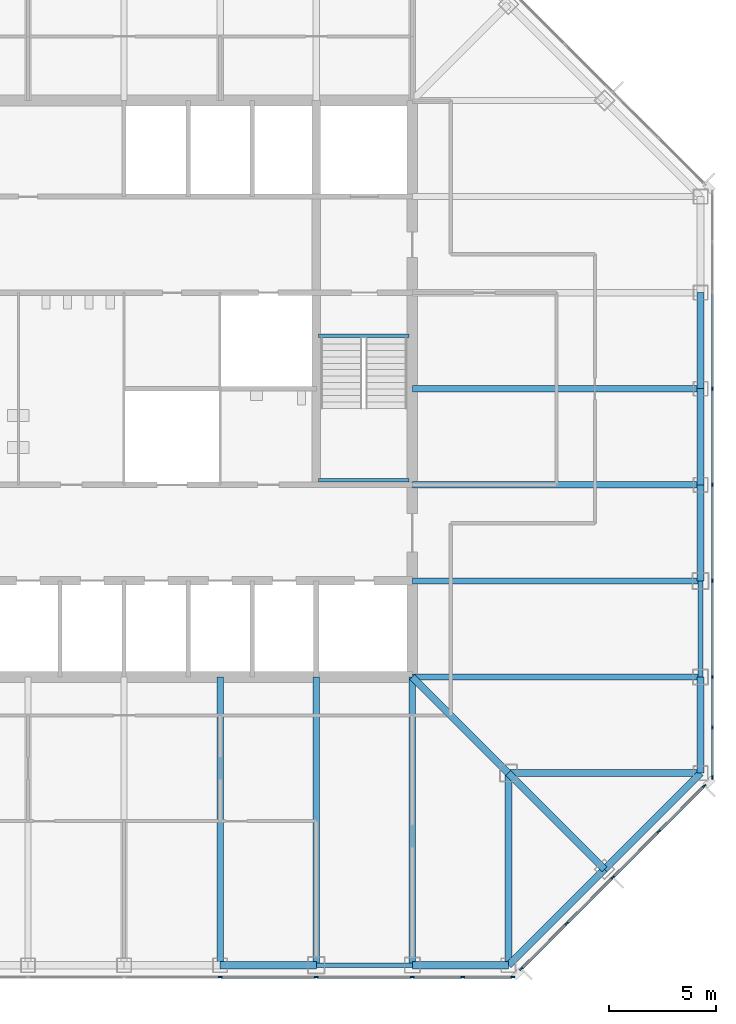
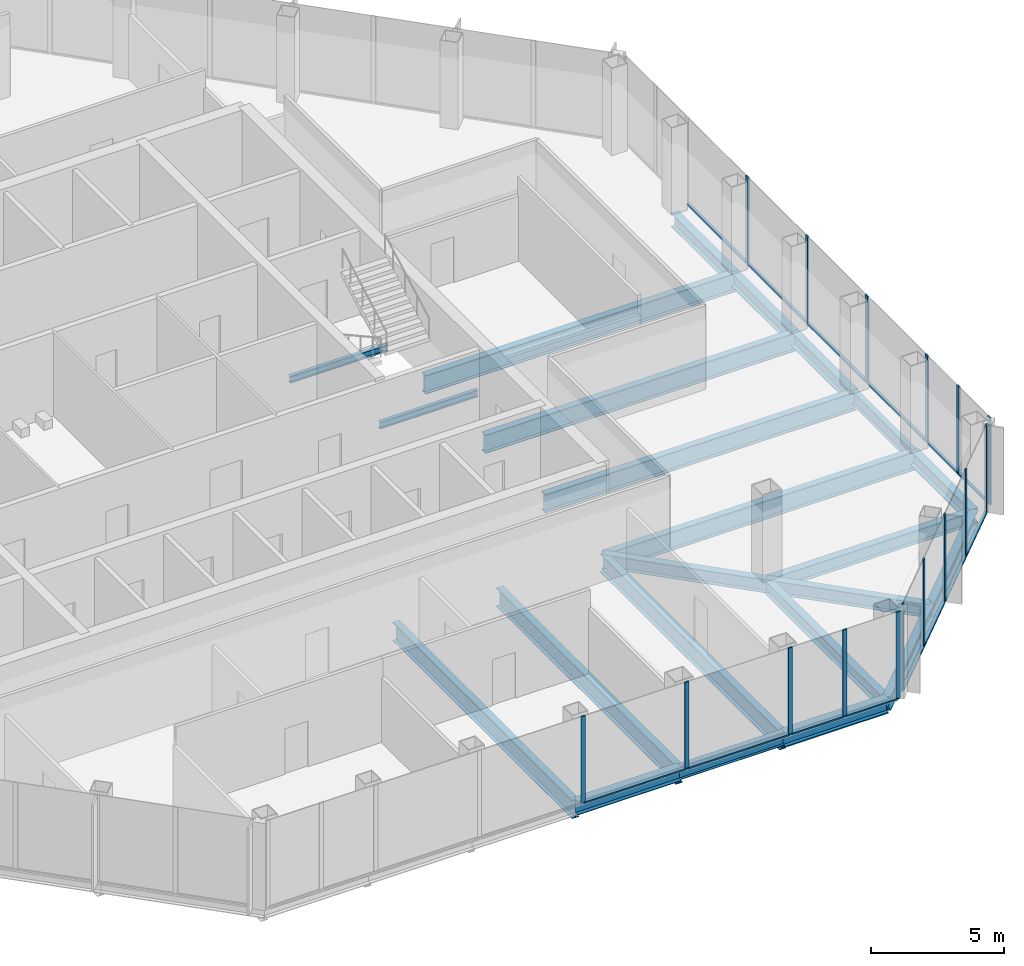
# One storey, part 4 of 12: 30 members, 23 beams, 3 elements without a shape of their own.
"""IFC4 building model written with IfcOpenShell, lengths in metres."""

from ifc_helpers import new_model, si_unit, direction, frame, origin, origin_2d, place, context, subcontext, project, spatial, rectangle, i_section, extrude, material, material_profile, profile_set, type_object, element, aggregate, save


model = new_model("IFC4")

# Units and contexts
model_context = context("Model", 3, precision=1e-05, world=origin(), true_north=direction((0.0, 1.0)))
body_context = subcontext(model_context, "Body", "Model", "MODEL_VIEW")
ifc_project = project(units=[si_unit("LENGTHUNIT", "METRE"), si_unit("AREAUNIT", "SQUARE_METRE"), si_unit("VOLUMEUNIT", "CUBIC_METRE"), si_unit("PLANEANGLEUNIT", "RADIAN"), si_unit("MASSUNIT", "GRAM", prefix="KILO")], contexts=[model_context])

# Site, building, storey
site_placement = place(None, origin())
site = spatial("IfcSite", under=ifc_project, at=site_placement, CompositionType="ELEMENT")
building_placement = place(site_placement, origin())
building = spatial("IfcBuilding", under=site, at=building_placement, Name="Corais Broadcast Tower", CompositionType="ELEMENT")
storey_placement = place(building_placement, frame((0.0, 0.0, 183.60009765625)))
storey = spatial("IfcBuildingStorey", under=building, at=storey_placement, Name="L42", CompositionType="ELEMENT", Elevation=183.60009765625)

# Beams
ifc_material_1 = material(Name="Steel ASTM A572 Grade 50", Category="steel")
ifc_material_profile_1 = material_profile(ifc_material_1, i_section(OverallWidth=0.323974609375, OverallDepth=0.611083984375, WebThickness=0.0126953125, FlangeThickness=0.01904296875, at=origin_2d()), Name="W610x155")
ifc_profile_set_1 = profile_set([ifc_material_profile_1], Name="Steel ASTM A572 Grade 50")
beam_type_1 = type_object("IfcBeamType", Name="Chamfer tie W610x155", PredefinedType="BEAM", material=ifc_profile_set_1)
beam_1_placement = place(storey_placement, frame((49.5, 4.5, -0.465576171875), z_axis=(-0.707106781187, 0.707106781187, 0.0), x_axis=(-0.707106781187, -0.707106781187, 0.0)))
element("IfcBeam", 1, at=beam_1_placement, inside=storey, type_object=beam_type_1, Name="B5 B/14 to C/13", PredefinedType="BEAM", context=body_context, shape_type="SweptSolid", body=[
    extrude(i_section(OverallWidth=0.323974609375, OverallDepth=0.611083984375, WebThickness=0.0126953125, FlangeThickness=0.01904296875, at=origin_2d()), origin(), (0.0, 0.0, 1.0), 6.364013671875),
])
ifc_material_2 = material(Name="Steel ASTM A572 Grade 50", Category="steel")
ifc_material_profile_2 = material_profile(ifc_material_2, i_section(OverallWidth=0.323974609375, OverallDepth=0.611083984375, WebThickness=0.0126953125, FlangeThickness=0.01904296875, at=origin_2d()), Name="W610x155")
ifc_profile_set_2 = profile_set([ifc_material_profile_2], Name="Steel ASTM A572 Grade 50")
beam_type_2 = type_object("IfcBeamType", Name="Corner diagonal W610x155", PredefinedType="BEAM", material=ifc_profile_set_2)
beam_2_placement = place(storey_placement, frame((45.0, 9.0, -0.465576171875), z_axis=(-0.707106781187, 0.707106781187, 0.0), x_axis=(-0.707106781187, -0.707106781187, 0.0)))
element("IfcBeam", 2, at=beam_2_placement, inside=storey, type_object=beam_type_2, Name="B6 C/13 to D/12", PredefinedType="BEAM", context=body_context, shape_type="SweptSolid", body=[
    extrude(i_section(OverallWidth=0.323974609375, OverallDepth=0.611083984375, WebThickness=0.0126953125, FlangeThickness=0.01904296875, at=origin_2d()), origin(), (0.0, 0.0, 1.0), 6.364013671875),
])
ifc_material_3 = material(Name="Steel ASTM A572 Grade 50", Category="steel")
ifc_material_profile_3 = material_profile(ifc_material_3, i_section(OverallWidth=0.323974609375, OverallDepth=0.611083984375, WebThickness=0.0126953125, FlangeThickness=0.01904296875, at=origin_2d()), Name="W610x155")
ifc_profile_set_3 = profile_set([ifc_material_profile_3], Name="Steel ASTM A572 Grade 50")
beam_type_3 = type_object("IfcBeamType", Name="Corner girder W610x155", PredefinedType="BEAM", material=ifc_profile_set_3)
for number, where, z_axis, x_axis, name in (
    (3, (45.0, 0.0, -0.465576171875), (0.0, 1.0, 0.0), (-1.0, 0.0, 0.0), "B4 A/13 to C/13"),
    (4, (54.0, 9.0, -0.465576171875), (-1.0, 0.0, 0.0), (0.0, -1.0, 0.0), "B4 C/15 to C/13"),
):
    element("IfcBeam", number, at=place(storey_placement, frame(where, z_axis=z_axis, x_axis=x_axis)), inside=storey, type_object=beam_type_3, Name=name, PredefinedType="BEAM", context=body_context, shape_type="SweptSolid", body=[
        extrude(i_section(OverallWidth=0.323974609375, OverallDepth=0.611083984375, WebThickness=0.0126953125, FlangeThickness=0.01904296875, at=origin_2d()), origin(), (0.0, 0.0, 1.0), 9.0),
    ])
ifc_material_4 = material(Name="Steel ASTM A572 Grade 50", Category="steel")
ifc_material_profile_4 = material_profile(ifc_material_4, i_section(OverallWidth=0.337890625, OverallDepth=0.677978515625, WebThickness=0.029541015625, FlangeThickness=0.052978515625, at=origin_2d()), Name="W610x415")
ifc_profile_set_4 = profile_set([ifc_material_profile_4], Name="Steel ASTM A572 Grade 50")
beam_type_4 = type_object("IfcBeamType", Name="Corner spandrel W610x415", PredefinedType="BEAM", material=ifc_profile_set_4)
for number, where, z_axis, x_axis, name in (
    (5, (40.5, 0.0, -0.4990234375), (1.0, 0.0, 0.0), (0.0, 1.0, 0.0), "SB10 A/12 to A/13"),
    (6, (54.0, 9.0, -0.4990234375), (0.0, 1.0, 0.0), (-1.0, 0.0, 0.0), "SB10 C/15 to D/15"),
):
    element("IfcBeam", number, at=place(storey_placement, frame(where, z_axis=z_axis, x_axis=x_axis)), inside=storey, type_object=beam_type_4, Name=name, PredefinedType="BEAM", context=body_context, shape_type="SweptSolid", body=[
        extrude(i_section(OverallWidth=0.337890625, OverallDepth=0.677978515625, WebThickness=0.029541015625, FlangeThickness=0.052978515625, at=origin_2d()), origin(), (0.0, 0.0, 1.0), 4.5),
    ])
ifc_material_5 = material(Name="Steel ASTM A572 Grade 50", Category="steel")
ifc_material_profile_5 = material_profile(ifc_material_5, i_section(OverallWidth=0.2939453125, OverallDepth=0.85107421875, WebThickness=0.01611328125, FlangeThickness=0.02685546875, at=origin_2d()), Name="W840x226")
ifc_profile_set_5 = profile_set([ifc_material_profile_5], Name="Steel ASTM A572 Grade 50")
beam_type_5 = type_object("IfcBeamType", Name="Floor beam W840x226", PredefinedType="BEAM", material=ifc_profile_set_5)
for number, where, z_axis, x_axis, name in (
    (7, (31.5, 0.0, -0.585693359375), (0.0, 1.0, 0.0), (-1.0, 0.0, 0.0), "B1 A/10 to D/10"),
    (8, (36.0, 0.0, -0.585693359375), (0.0, 1.0, 0.0), (-1.0, 0.0, 0.0), "B1 A/11 to D/11"),
    (9, (40.5, 0.0, -0.585693359375), (0.0, 1.0, 0.0), (-1.0, 0.0, 0.0), "B1 A/12 to D/12"),
    (10, (54.0, 13.5, -0.585693359375), (-1.0, 0.0, 0.0), (0.0, -1.0, 0.0), "B1 D/15 to D/12"),
    (11, (54.0, 18.0, -0.585693359375), (-1.0, 0.0, 0.0), (0.0, -1.0, 0.0), "B1 E/15 to E/12"),
    (12, (54.0, 22.5, -0.585693359375), (-1.0, 0.0, 0.0), (0.0, -1.0, 0.0), "B1 F/15 to F/12"),
    (13, (54.0, 27.0, -0.585693359375), (-1.0, 0.0, 0.0), (0.0, -1.0, 0.0), "B1 G/15 to G/12"),
):
    element("IfcBeam", number, at=place(storey_placement, frame(where, z_axis=z_axis, x_axis=x_axis)), inside=storey, type_object=beam_type_5, Name=name, PredefinedType="BEAM", context=body_context, shape_type="SweptSolid", body=[
        extrude(i_section(OverallWidth=0.2939453125, OverallDepth=0.85107421875, WebThickness=0.01611328125, FlangeThickness=0.02685546875, at=origin_2d()), origin(), (0.0, 0.0, 1.0), 13.5),
    ])
ifc_material_6 = material(Name="Steel ASTM A572 Grade 50", Category="steel")
ifc_material_profile_6 = material_profile(ifc_material_6, i_section(OverallWidth=0.1650390625, OverallDepth=0.31005859375, WebThickness=0.005859375, FlangeThickness=0.009765625, at=origin_2d()), Name="W310x38.7")
ifc_profile_set_6 = profile_set([ifc_material_profile_6], Name="Steel ASTM A572 Grade 50")
beam_type_6 = type_object("IfcBeamType", Name="Landing trimmer W310x38.7", PredefinedType="BEAM", material=ifc_profile_set_6)
for number, where, z_axis, x_axis, name in (
    (14, (36.10009765625, 29.47509765625, -0.35498046875), (1.0, 0.0, 0.0), (0.0, 1.0, 0.0), "LT1 stair B landing trimmer L42"),
    (15, (36.10009765625, 22.715087890625, 1.64501953125), (1.0, 0.0, 0.0), (0.0, 1.0, 0.0), "LT1 stair B half landing trimmer L42"),
):
    element("IfcBeam", number, at=place(storey_placement, frame(where, z_axis=z_axis, x_axis=x_axis)), inside=storey, type_object=beam_type_6, Name=name, PredefinedType="BEAM", context=body_context, shape_type="SweptSolid", body=[
        extrude(i_section(OverallWidth=0.1650390625, OverallDepth=0.31005859375, WebThickness=0.005859375, FlangeThickness=0.009765625, at=origin_2d()), origin(), (0.0, 0.0, 1.0), 4.25),
    ])

# Curtain wall, members
ifc_material_7 = material(Name="Aluminium and glass", Category="aluminium")
curtain_wall_type = type_object("IfcCurtainWallType", Name="Unitised fritted curtain wall CW2", PredefinedType="NOTDEFINED", material=ifc_material_7)
curtain_wall_1_placement = place(storey_placement, origin())
curtain_wall_1 = element("IfcCurtainWall", 16, at=curtain_wall_1_placement, inside=storey, type_object=curtain_wall_type, Name="CW2 curtain wall L42 6", PredefinedType="NOTDEFINED")
ifc_material_8 = material(Name="Aluminium 6063-T6", Category="aluminium")
ifc_material_profile_7 = material_profile(ifc_material_8, rectangle(XDim=0.06494140625, YDim=0.179931640625, at=origin_2d()), Name="Mullion CW2 65x180")
ifc_profile_set_7 = profile_set([ifc_material_profile_7], Name="Aluminium 6063-T6")
member_type_1 = type_object("IfcMemberType", Name="Mullion CW2 65x180", PredefinedType="MULLION", material=ifc_profile_set_7)
member_1_placement = place(storey_placement, frame((54.550048828125, 27.0, 0.0), z_axis=(0.0, 0.0, 1.0), x_axis=(1.0, 0.0, 0.0)))
member_1 = element("IfcMember", 17, at=member_1_placement, type_object=member_type_1, Name="CW2 mullion 4", PredefinedType="MULLION", context=body_context, shape_type="SweptSolid", body=[
    extrude(rectangle(XDim=0.06494140625, YDim=0.179931640625, at=origin_2d()), origin(), (0.0, 0.0, 1.0), 4.0),
])
member_2_placement = place(storey_placement, frame((54.550048828125, 22.5, 0.0), z_axis=(0.0, 0.0, 1.0), x_axis=(1.0, 0.0, 0.0)))
member_2 = element("IfcMember", 18, at=member_2_placement, type_object=member_type_1, Name="CW2 mullion 5", PredefinedType="MULLION", context=body_context, shape_type="SweptSolid", body=[
    extrude(rectangle(XDim=0.06494140625, YDim=0.179931640625, at=origin_2d()), origin(), (0.0, 0.0, 1.0), 4.0),
])
member_3_placement = place(storey_placement, frame((54.550048828125, 18.0, 0.0), z_axis=(0.0, 0.0, 1.0), x_axis=(1.0, 0.0, 0.0)))
member_3 = element("IfcMember", 19, at=member_3_placement, type_object=member_type_1, Name="CW2 mullion 6", PredefinedType="MULLION", context=body_context, shape_type="SweptSolid", body=[
    extrude(rectangle(XDim=0.06494140625, YDim=0.179931640625, at=origin_2d()), origin(), (0.0, 0.0, 1.0), 4.0),
])
member_4_placement = place(storey_placement, frame((54.550048828125, 13.5, 0.0), z_axis=(0.0, 0.0, 1.0), x_axis=(1.0, 0.0, 0.0)))
member_4 = element("IfcMember", 20, at=member_4_placement, type_object=member_type_1, Name="CW2 mullion 7", PredefinedType="MULLION", context=body_context, shape_type="SweptSolid", body=[
    extrude(rectangle(XDim=0.06494140625, YDim=0.179931640625, at=origin_2d()), origin(), (0.0, 0.0, 1.0), 4.0),
])
member_5_placement = place(storey_placement, frame((54.550048828125, 11.135986328125, 0.0), z_axis=(0.0, 0.0, 1.0), x_axis=(1.0, 0.0, 0.0)))
member_5 = element("IfcMember", 21, at=member_5_placement, type_object=member_type_1, Name="CW2 mullion 8", PredefinedType="MULLION", context=body_context, shape_type="SweptSolid", body=[
    extrude(rectangle(XDim=0.06494140625, YDim=0.179931640625, at=origin_2d()), origin(), (0.0, 0.0, 1.0), 4.0),
])
member_6_placement = place(storey_placement, frame((54.550048828125, 8.8046875, 0.0), z_axis=(0.0, 0.0, 1.0), x_axis=(1.0, 0.0, 0.0)))
member_6 = element("IfcMember", 22, at=member_6_placement, type_object=member_type_1, Name="CW2 mullion 9", PredefinedType="MULLION", context=body_context, shape_type="SweptSolid", body=[
    extrude(rectangle(XDim=0.06494140625, YDim=0.179931640625, at=origin_2d()), origin(), (0.0, 0.0, 1.0), 4.0),
])

curtain_wall_2_placement = place(storey_placement, origin())
curtain_wall_2 = element("IfcCurtainWall", 23, at=curtain_wall_2_placement, inside=storey, type_object=curtain_wall_type, Name="CW2 curtain wall L42 7", PredefinedType="NOTDEFINED")
member_7_placement = place(storey_placement, frame((54.17333984375, 8.3955078125, 0.0), z_axis=(0.0, 0.0, 1.0), x_axis=(0.707106781187, -0.707106781187, 0.0)))
member_7 = element("IfcMember", 24, at=member_7_placement, type_object=member_type_1, Name="CW2 mullion 1", PredefinedType="MULLION", context=body_context, shape_type="SweptSolid", body=[
    extrude(rectangle(XDim=0.06494140625, YDim=0.179931640625, at=origin_2d()), origin(), (0.0, 0.0, 1.0), 4.0),
])
member_8_placement = place(storey_placement, frame((52.042724609375, 6.264892578125, 0.0), z_axis=(0.0, 0.0, 1.0), x_axis=(0.707106781187, -0.707106781187, 0.0)))
member_8 = element("IfcMember", 25, at=member_8_placement, type_object=member_type_1, Name="CW2 mullion 2", PredefinedType="MULLION", context=body_context, shape_type="SweptSolid", body=[
    extrude(rectangle(XDim=0.06494140625, YDim=0.179931640625, at=origin_2d()), origin(), (0.0, 0.0, 1.0), 4.0),
])
member_9_placement = place(storey_placement, frame((49.888916015625, 4.111083984375, 0.0), z_axis=(0.0, 0.0, 1.0), x_axis=(0.707106781187, -0.707106781187, 0.0)))
member_9 = element("IfcMember", 26, at=member_9_placement, type_object=member_type_1, Name="CW2 mullion 3", PredefinedType="MULLION", context=body_context, shape_type="SweptSolid", body=[
    extrude(rectangle(XDim=0.06494140625, YDim=0.179931640625, at=origin_2d()), origin(), (0.0, 0.0, 1.0), 4.0),
])
member_10_placement = place(storey_placement, frame((47.735107421875, 1.957275390625, 0.0), z_axis=(0.0, 0.0, 1.0), x_axis=(0.707106781187, -0.707106781187, 0.0)))
member_10 = element("IfcMember", 27, at=member_10_placement, type_object=member_type_1, Name="CW2 mullion 4", PredefinedType="MULLION", context=body_context, shape_type="SweptSolid", body=[
    extrude(rectangle(XDim=0.06494140625, YDim=0.179931640625, at=origin_2d()), origin(), (0.0, 0.0, 1.0), 4.0),
])
member_11_placement = place(storey_placement, frame((45.6044921875, -0.17333984375, 0.0), z_axis=(0.0, 0.0, 1.0), x_axis=(0.707106781187, -0.707106781187, 0.0)))
member_11 = element("IfcMember", 28, at=member_11_placement, type_object=member_type_1, Name="CW2 mullion 5", PredefinedType="MULLION", context=body_context, shape_type="SweptSolid", body=[
    extrude(rectangle(XDim=0.06494140625, YDim=0.179931640625, at=origin_2d()), origin(), (0.0, 0.0, 1.0), 4.0),
])

curtain_wall_3_placement = place(storey_placement, origin())
curtain_wall_3 = element("IfcCurtainWall", 29, at=curtain_wall_3_placement, inside=storey, type_object=curtain_wall_type, Name="CW2 curtain wall L42 8", PredefinedType="NOTDEFINED")
member_12_placement = place(storey_placement, frame((45.1953125, -0.550048828125, 0.0), z_axis=(0.0, 0.0, 1.0), x_axis=(0.0, -1.0, 0.0)))
member_12 = element("IfcMember", 30, at=member_12_placement, type_object=member_type_1, Name="CW2 mullion 1", PredefinedType="MULLION", context=body_context, shape_type="SweptSolid", body=[
    extrude(rectangle(XDim=0.06494140625, YDim=0.179931640625, at=origin_2d()), origin(), (0.0, 0.0, 1.0), 4.0),
])
member_13_placement = place(storey_placement, frame((42.864013671875, -0.550048828125, 0.0), z_axis=(0.0, 0.0, 1.0), x_axis=(0.0, -1.0, 0.0)))
member_13 = element("IfcMember", 31, at=member_13_placement, type_object=member_type_1, Name="CW2 mullion 2", PredefinedType="MULLION", context=body_context, shape_type="SweptSolid", body=[
    extrude(rectangle(XDim=0.06494140625, YDim=0.179931640625, at=origin_2d()), origin(), (0.0, 0.0, 1.0), 4.0),
])
member_14_placement = place(storey_placement, frame((40.5, -0.550048828125, 0.0), z_axis=(0.0, 0.0, 1.0), x_axis=(0.0, -1.0, 0.0)))
member_14 = element("IfcMember", 32, at=member_14_placement, type_object=member_type_1, Name="CW2 mullion 3", PredefinedType="MULLION", context=body_context, shape_type="SweptSolid", body=[
    extrude(rectangle(XDim=0.06494140625, YDim=0.179931640625, at=origin_2d()), origin(), (0.0, 0.0, 1.0), 4.0),
])
member_15_placement = place(storey_placement, frame((36.0, -0.550048828125, 0.0), z_axis=(0.0, 0.0, 1.0), x_axis=(0.0, -1.0, 0.0)))
member_15 = element("IfcMember", 33, at=member_15_placement, type_object=member_type_1, Name="CW2 mullion 4", PredefinedType="MULLION", context=body_context, shape_type="SweptSolid", body=[
    extrude(rectangle(XDim=0.06494140625, YDim=0.179931640625, at=origin_2d()), origin(), (0.0, 0.0, 1.0), 4.0),
])
member_16_placement = place(storey_placement, frame((31.5, -0.550048828125, 0.0), z_axis=(0.0, 0.0, 1.0), x_axis=(0.0, -1.0, 0.0)))
member_16 = element("IfcMember", 34, at=member_16_placement, type_object=member_type_1, Name="CW2 mullion 5", PredefinedType="MULLION", context=body_context, shape_type="SweptSolid", body=[
    extrude(rectangle(XDim=0.06494140625, YDim=0.179931640625, at=origin_2d()), origin(), (0.0, 0.0, 1.0), 4.0),
])

# Beams
ifc_material_9 = material(Name="Steel ASTM A572 Grade 50", Category="steel")
ifc_material_profile_8 = material_profile(ifc_material_9, i_section(OverallWidth=0.22900390625, OverallDepth=0.612060546875, WebThickness=0.011962890625, FlangeThickness=0.01953125, at=origin_2d()), Name="W610x125")
ifc_profile_set_8 = profile_set([ifc_material_profile_8], Name="Steel ASTM A572 Grade 50")
beam_type_7 = type_object("IfcBeamType", Name="Pinned spandrel W610x125", PredefinedType="BEAM", material=ifc_profile_set_8)
for number, where, z_axis, x_axis, name in (
    (35, (36.0, 0.0, -0.466064453125), (1.0, 0.0, 0.0), (0.0, 1.0, 0.0), "SB7 A/11 to A/12"),
    (36, (54.0, 13.5, -0.466064453125), (0.0, 1.0, 0.0), (-1.0, 0.0, 0.0), "SB7 D/15 to E/15"),
):
    element("IfcBeam", number, at=place(storey_placement, frame(where, z_axis=z_axis, x_axis=x_axis)), inside=storey, type_object=beam_type_7, Name=name, PredefinedType="BEAM", context=body_context, shape_type="SweptSolid", body=[
        extrude(i_section(OverallWidth=0.22900390625, OverallDepth=0.612060546875, WebThickness=0.011962890625, FlangeThickness=0.01953125, at=origin_2d()), origin(), (0.0, 0.0, 1.0), 4.5),
    ])
ifc_material_10 = material(Name="Steel ASTM A572 Grade 50", Category="steel")
ifc_material_profile_9 = material_profile(ifc_material_10, i_section(OverallWidth=0.3291015625, OverallDepth=0.635009765625, WebThickness=0.017822265625, FlangeThickness=0.031005859375, at=origin_2d()), Name="W610x241")
ifc_profile_set_9 = profile_set([ifc_material_profile_9], Name="Steel ASTM A572 Grade 50")
beam_type_8 = type_object("IfcBeamType", Name="Spandrel W610x241", PredefinedType="BEAM", material=ifc_profile_set_9)
beam_3_placement = place(storey_placement, frame((31.5, 0.0, -0.4775390625), z_axis=(1.0, 0.0, 0.0), x_axis=(0.0, 1.0, 0.0)))
element("IfcBeam", 37, at=beam_3_placement, inside=storey, type_object=beam_type_8, Name="SB1 A/10 to A/11", PredefinedType="BEAM", context=body_context, shape_type="SweptSolid", body=[
    extrude(i_section(OverallWidth=0.3291015625, OverallDepth=0.635009765625, WebThickness=0.017822265625, FlangeThickness=0.031005859375, at=origin_2d()), origin(), (0.0, 0.0, 1.0), 4.5),
])
for number, where, z_axis, x_axis, name in (
    (38, (45.0, 0.0, -0.4775390625), (0.707106781187, 0.707106781187, 0.0), (-0.707106781187, 0.707106781187, 0.0), "SB1 A/13 to B/14"),
    (39, (49.5, 4.5, -0.4775390625), (0.707106781187, 0.707106781187, 0.0), (-0.707106781187, 0.707106781187, 0.0), "SB1 B/14 to C/15"),
):
    element("IfcBeam", number, at=place(storey_placement, frame(where, z_axis=z_axis, x_axis=x_axis)), inside=storey, type_object=beam_type_8, Name=name, PredefinedType="BEAM", context=body_context, shape_type="SweptSolid", body=[
        extrude(i_section(OverallWidth=0.3291015625, OverallDepth=0.635009765625, WebThickness=0.017822265625, FlangeThickness=0.031005859375, at=origin_2d()), origin(), (0.0, 0.0, 1.0), 6.364013671875),
    ])
for number, where, z_axis, x_axis, name in (
    (40, (54.0, 18.0, -0.4775390625), (0.0, 1.0, 0.0), (-1.0, 0.0, 0.0), "SB1 E/15 to F/15"),
    (41, (54.0, 22.5, -0.4775390625), (0.0, 1.0, 0.0), (-1.0, 0.0, 0.0), "SB1 F/15 to G/15"),
    (42, (54.0, 27.0, -0.4775390625), (0.0, 1.0, 0.0), (-1.0, 0.0, 0.0), "SB1 G/15 to H/15"),
):
    element("IfcBeam", number, at=place(storey_placement, frame(where, z_axis=z_axis, x_axis=x_axis)), inside=storey, type_object=beam_type_8, Name=name, PredefinedType="BEAM", context=body_context, shape_type="SweptSolid", body=[
        extrude(i_section(OverallWidth=0.3291015625, OverallDepth=0.635009765625, WebThickness=0.017822265625, FlangeThickness=0.031005859375, at=origin_2d()), origin(), (0.0, 0.0, 1.0), 4.5),
    ])

# Member
ifc_material_11 = material(Name="Aluminium 6063-T6", Category="aluminium")
ifc_material_profile_10 = material_profile(ifc_material_11, rectangle(XDim=0.1298828125, YDim=0.06494140625, at=origin_2d()), Name="Transom CW2 65x130")
ifc_profile_set_10 = profile_set([ifc_material_profile_10], Name="Aluminium 6063-T6")
member_type_2 = type_object("IfcMemberType", Name="Transom CW2 65x130", PredefinedType="USERDEFINED", material=ifc_profile_set_10)
member_17_placement = place(storey_placement, frame((54.550048828125, 31.467529296875, 0.032470703125), z_axis=(0.0, -1.0, 0.0), x_axis=(1.0, 0.0, 0.0)))
member_17 = element("IfcMember", 43, at=member_17_placement, type_object=member_type_2, Name="CW2 transom 3.1", ObjectType="TRANSOM", PredefinedType="USERDEFINED", context=body_context, shape_type="SweptSolid", body=[
    extrude(rectangle(XDim=0.1298828125, YDim=0.06494140625, at=origin_2d()), origin(), (0.0, 0.0, 1.0), 4.43505859375),
])

member_18_placement = place(storey_placement, frame((54.550048828125, 26.967529296875, 0.032470703125), z_axis=(0.0, -1.0, 0.0), x_axis=(1.0, 0.0, 0.0)))
member_18 = element("IfcMember", 44, at=member_18_placement, type_object=member_type_2, Name="CW2 transom 4.1", ObjectType="TRANSOM", PredefinedType="USERDEFINED", context=body_context, shape_type="SweptSolid", body=[
    extrude(rectangle(XDim=0.1298828125, YDim=0.06494140625, at=origin_2d()), origin(), (0.0, 0.0, 1.0), 4.43505859375),
])

member_19_placement = place(storey_placement, frame((54.550048828125, 22.467529296875, 0.032470703125), z_axis=(0.0, -1.0, 0.0), x_axis=(1.0, 0.0, 0.0)))
member_19 = element("IfcMember", 45, at=member_19_placement, type_object=member_type_2, Name="CW2 transom 5.1", ObjectType="TRANSOM", PredefinedType="USERDEFINED", context=body_context, shape_type="SweptSolid", body=[
    extrude(rectangle(XDim=0.1298828125, YDim=0.06494140625, at=origin_2d()), origin(), (0.0, 0.0, 1.0), 4.43505859375),
])

member_20_placement = place(storey_placement, frame((54.550048828125, 17.967529296875, 0.032470703125), z_axis=(0.0, -1.0, 0.0), x_axis=(1.0, 0.0, 0.0)))
member_20 = element("IfcMember", 46, at=member_20_placement, type_object=member_type_2, Name="CW2 transom 6.1", ObjectType="TRANSOM", PredefinedType="USERDEFINED", context=body_context, shape_type="SweptSolid", body=[
    extrude(rectangle(XDim=0.1298828125, YDim=0.06494140625, at=origin_2d()), origin(), (0.0, 0.0, 1.0), 4.43505859375),
])

member_21_placement = place(storey_placement, frame((54.550048828125, 13.467529296875, 0.032470703125), z_axis=(0.0, -1.0, 0.0), x_axis=(1.0, 0.0, 0.0)))
member_21 = element("IfcMember", 47, at=member_21_placement, type_object=member_type_2, Name="CW2 transom 7.1", ObjectType="TRANSOM", PredefinedType="USERDEFINED", context=body_context, shape_type="SweptSolid", body=[
    extrude(rectangle(XDim=0.1298828125, YDim=0.06494140625, at=origin_2d()), origin(), (0.0, 0.0, 1.0), 2.298828125),
])

member_22_placement = place(storey_placement, frame((54.550048828125, 11.103515625, 0.032470703125), z_axis=(0.0, -1.0, 0.0), x_axis=(1.0, 0.0, 0.0)))
member_22 = element("IfcMember", 48, at=member_22_placement, type_object=member_type_2, Name="CW2 transom 8.1", ObjectType="TRANSOM", PredefinedType="USERDEFINED", context=body_context, shape_type="SweptSolid", body=[
    extrude(rectangle(XDim=0.1298828125, YDim=0.06494140625, at=origin_2d()), origin(), (0.0, 0.0, 1.0), 2.266357421875),
])

aggregate(curtain_wall_1, [member_1, member_2, member_3, member_4, member_5, member_6, member_17, member_18, member_19, member_20, member_21, member_22])

member_23_placement = place(storey_placement, frame((54.150390625, 8.37255859375, 0.032470703125), z_axis=(-0.707106781187, -0.707106781187, 0.0), x_axis=(0.707106781187, -0.707106781187, 0.0)))
member_23 = element("IfcMember", 49, at=member_23_placement, type_object=member_type_2, Name="CW2 transom 1.1", ObjectType="TRANSOM", PredefinedType="USERDEFINED", context=body_context, shape_type="SweptSolid", body=[
    extrude(rectangle(XDim=0.1298828125, YDim=0.06494140625, at=origin_2d()), origin(), (0.0, 0.0, 1.0), 2.9482421875),
])

member_24_placement = place(storey_placement, frame((52.019775390625, 6.241943359375, 0.032470703125), z_axis=(-0.707106781187, -0.707106781187, 0.0), x_axis=(0.707106781187, -0.707106781187, 0.0)))
member_24 = element("IfcMember", 50, at=member_24_placement, type_object=member_type_2, Name="CW2 transom 2.1", ObjectType="TRANSOM", PredefinedType="USERDEFINED", context=body_context, shape_type="SweptSolid", body=[
    extrude(rectangle(XDim=0.1298828125, YDim=0.06494140625, at=origin_2d()), origin(), (0.0, 0.0, 1.0), 2.98095703125),
])

member_25_placement = place(storey_placement, frame((49.865966796875, 4.088134765625, 0.032470703125), z_axis=(-0.707106781187, -0.707106781187, 0.0), x_axis=(0.707106781187, -0.707106781187, 0.0)))
member_25 = element("IfcMember", 51, at=member_25_placement, type_object=member_type_2, Name="CW2 transom 3.1", ObjectType="TRANSOM", PredefinedType="USERDEFINED", context=body_context, shape_type="SweptSolid", body=[
    extrude(rectangle(XDim=0.1298828125, YDim=0.06494140625, at=origin_2d()), origin(), (0.0, 0.0, 1.0), 2.98095703125),
])

member_26_placement = place(storey_placement, frame((47.712158203125, 1.934326171875, 0.032470703125), z_axis=(-0.707106781187, -0.707106781187, 0.0), x_axis=(0.707106781187, -0.707106781187, 0.0)))
member_26 = element("IfcMember", 52, at=member_26_placement, type_object=member_type_2, Name="CW2 transom 4.1", ObjectType="TRANSOM", PredefinedType="USERDEFINED", context=body_context, shape_type="SweptSolid", body=[
    extrude(rectangle(XDim=0.1298828125, YDim=0.06494140625, at=origin_2d()), origin(), (0.0, 0.0, 1.0), 2.9482421875),
])

aggregate(curtain_wall_2, [member_7, member_8, member_9, member_10, member_11, member_23, member_24, member_25, member_26])

member_27_placement = place(storey_placement, frame((45.162841796875, -0.550048828125, 0.032470703125), z_axis=(-1.0, 0.0, 0.0), x_axis=(0.0, -1.0, 0.0)))
member_27 = element("IfcMember", 53, at=member_27_placement, type_object=member_type_2, Name="CW2 transom 1.1", ObjectType="TRANSOM", PredefinedType="USERDEFINED", context=body_context, shape_type="SweptSolid", body=[
    extrude(rectangle(XDim=0.1298828125, YDim=0.06494140625, at=origin_2d()), origin(), (0.0, 0.0, 1.0), 2.266357421875),
])

member_28_placement = place(storey_placement, frame((42.831298828125, -0.550048828125, 0.032470703125), z_axis=(-1.0, 0.0, 0.0), x_axis=(0.0, -1.0, 0.0)))
member_28 = element("IfcMember", 54, at=member_28_placement, type_object=member_type_2, Name="CW2 transom 2.1", ObjectType="TRANSOM", PredefinedType="USERDEFINED", context=body_context, shape_type="SweptSolid", body=[
    extrude(rectangle(XDim=0.1298828125, YDim=0.06494140625, at=origin_2d()), origin(), (0.0, 0.0, 1.0), 2.298828125),
])

member_29_placement = place(storey_placement, frame((40.467529296875, -0.550048828125, 0.032470703125), z_axis=(-1.0, 0.0, 0.0), x_axis=(0.0, -1.0, 0.0)))
member_29 = element("IfcMember", 55, at=member_29_placement, type_object=member_type_2, Name="CW2 transom 3.1", ObjectType="TRANSOM", PredefinedType="USERDEFINED", context=body_context, shape_type="SweptSolid", body=[
    extrude(rectangle(XDim=0.1298828125, YDim=0.06494140625, at=origin_2d()), origin(), (0.0, 0.0, 1.0), 4.43505859375),
])

member_30_placement = place(storey_placement, frame((35.967529296875, -0.550048828125, 0.032470703125), z_axis=(-1.0, 0.0, 0.0), x_axis=(0.0, -1.0, 0.0)))
member_30 = element("IfcMember", 56, at=member_30_placement, type_object=member_type_2, Name="CW2 transom 4.1", ObjectType="TRANSOM", PredefinedType="USERDEFINED", context=body_context, shape_type="SweptSolid", body=[
    extrude(rectangle(XDim=0.1298828125, YDim=0.06494140625, at=origin_2d()), origin(), (0.0, 0.0, 1.0), 4.43505859375),
])

aggregate(curtain_wall_3, [member_12, member_13, member_14, member_15, member_16, member_27, member_28, member_29, member_30])

save(model, "model.ifc")
